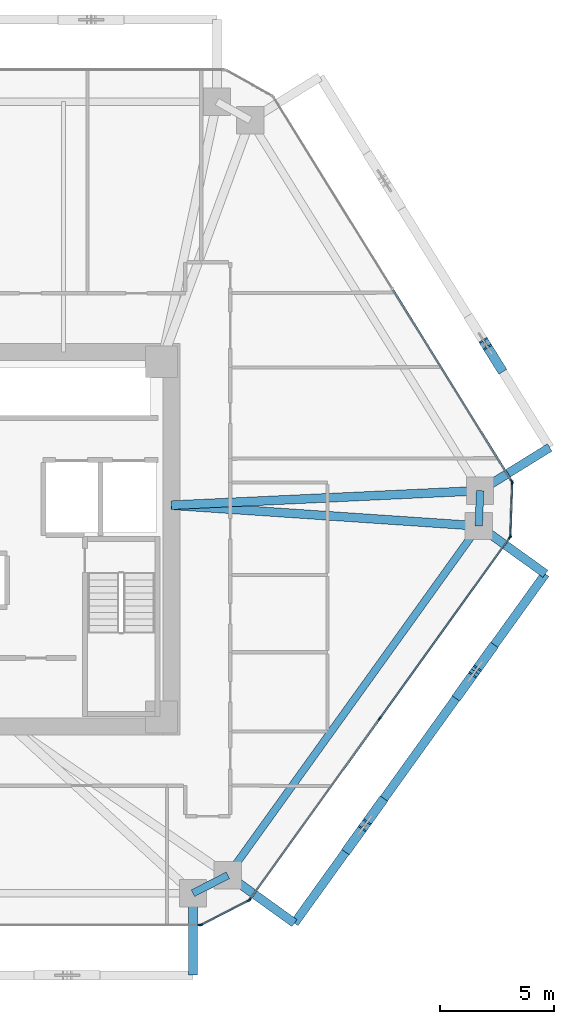
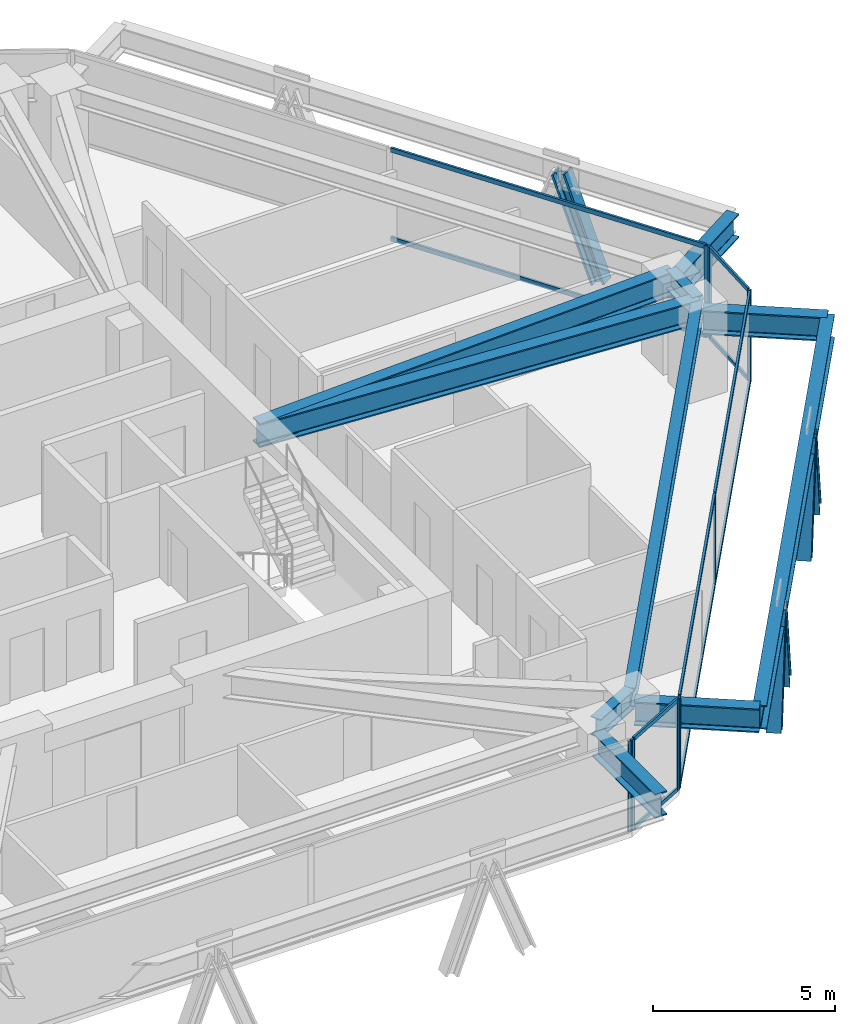
# One storey, part 5 of 16: 24 members, 10 beams, 5 elements without a shape of their own.
"""IFC4 building model written with IfcOpenShell, lengths in metres."""

from ifc_helpers import new_model, si_unit, direction, frame, origin, origin_2d, place, context, subcontext, project, spatial, rectangle, i_section, extrude, source, transform, mapped, material, layer, layer_set, material_profile, profile_set, type_object, type_shapes, element, aggregate, save


model = new_model("IFC4")

# Units and contexts
model_context = context("Model", 3, precision=1e-05, world=origin(), true_north=direction((0.0, 1.0)))
body_context = subcontext(model_context, "Body", "Model", "MODEL_VIEW")
ifc_project = project(units=[si_unit("LENGTHUNIT", "METRE"), si_unit("AREAUNIT", "SQUARE_METRE"), si_unit("VOLUMEUNIT", "CUBIC_METRE"), si_unit("PLANEANGLEUNIT", "RADIAN"), si_unit("MASSUNIT", "GRAM", prefix="KILO")], contexts=[model_context])

# Site, building, storey
site_placement = place(None, origin())
site = spatial("IfcSite", under=ifc_project, at=site_placement, CompositionType="ELEMENT")
building_placement = place(site_placement, origin())
building = spatial("IfcBuilding", under=site, at=building_placement, Name="Durnholm Broadcast Tower", CompositionType="ELEMENT")
storey_placement = place(building_placement, frame((0.0, 0.0, 123.89990234375)))
storey = spatial("IfcBuildingStorey", under=building, at=storey_placement, Name="L33", CompositionType="ELEMENT", Elevation=123.89990234375)

# Beams
ifc_material_1 = material(Name="Steel ASTM A992 Grade 50", Category="steel")
ifc_material_profile_1 = material_profile(ifc_material_1, i_section(OverallWidth=0.385009765625, OverallDepth=0.802978515625, WebThickness=0.023681640625, FlangeThickness=0.0419921875, FilletRadius=0.032958984375, at=origin_2d()), Name="W30X261")
ifc_profile_set_1 = profile_set([ifc_material_profile_1], Name="Steel ASTM A992 Grade 50")
beam_type_1 = type_object("IfcBeamType", Name="BM-EXO-TIE", PredefinedType="USERDEFINED", material=ifc_profile_set_1)
shared_shape_1 = source(origin(), body_context, "Body", "SweptSolid", [
    extrude(i_section(OverallWidth=0.385009765625, OverallDepth=0.802978515625, WebThickness=0.023681640625, FlangeThickness=0.0419921875, FilletRadius=0.032958984375, at=origin_2d()), origin(), (0.0, 0.0, 1.0), 3.4560546875),
])
for number, where, z_axis, x_axis, name in (
    (1, (11.176025390625, -15.680908203125, 2.30859375), (0.0, -1.0, 0.0), (1.0, 0.0, 0.0), "L33 exoskeleton stand-off tie bracket F1.2"),
    (2, (12.826904296875, -14.834228515625, 2.30859375), (0.812164951739, -0.583427880005, 0.0), (0.583427880005, 0.812164951739, 0.0), "L33 exoskeleton stand-off tie bracket F2.1"),
    (3, (23.844970703125, 0.5029296875, 2.30859375), (0.812164951739, -0.583427880005, 0.0), (0.583427880005, 0.812164951739, 0.0), "L33 exoskeleton stand-off tie bracket F2.2"),
    (4, (23.903076171875, 2.21240234375, 2.30859375), (0.849795112316, 0.527113144481, 0.0), (-0.527113144481, 0.849795112316, 0.0), "L33 exoskeleton stand-off tie bracket F3.1"),
):
    element("IfcBeam", number, at=place(storey_placement, frame(where, z_axis=z_axis, x_axis=x_axis)), inside=storey, type_object=beam_type_1, Name=name, ObjectType="GIRDER", PredefinedType="USERDEFINED", context=body_context, shape_type="MappedRepresentation", body=[
        mapped(shared_shape_1, transform((0.0, 0.0, 0.0), x_axis=(1.0, 0.0, 0.0), y_axis=(0.0, 1.0, 0.0), z_axis=(0.0, 0.0, 1.0), scale=1.0)),
    ])
ifc_material_profile_2 = material_profile(ifc_material_1, i_section(OverallWidth=0.3291015625, OverallDepth=0.635009765625, WebThickness=0.017822265625, FlangeThickness=0.031005859375, FilletRadius=0.02783203125, at=origin_2d()), Name="W24X162")
ifc_profile_set_2 = profile_set([ifc_material_profile_2], Name="Steel ASTM A992 Grade 50")
beam_type_2 = type_object("IfcBeamType", Name="STL-SP-W24X162", PredefinedType="SPANDREL", material=ifc_profile_set_2)
shared_shape_2 = source(origin(), body_context, "Body", "SweptSolid", [
    extrude(i_section(OverallWidth=0.3291015625, OverallDepth=0.635009765625, WebThickness=0.017822265625, FlangeThickness=0.031005859375, FilletRadius=0.02783203125, at=origin_2d()), origin(), (0.0, 0.0, 1.0), 18.884521484375),
])
beam_1_placement = place(storey_placement, frame((23.72802734375, 0.5869140625, 2.7275390625), z_axis=(-0.583443434414, -0.812153777827, 0.0), x_axis=(0.812153777827, -0.583443434414, 0.0)))
element("IfcBeam", 5, at=beam_1_placement, inside=storey, type_object=beam_type_2, Name="L33 perimeter spandrel girder 09", PredefinedType="SPANDREL", context=body_context, shape_type="MappedRepresentation", body=[
    mapped(shared_shape_2, transform((0.0, 0.0, 0.0), x_axis=(1.0, 0.0, 0.0), y_axis=(0.0, 1.0, 0.0), z_axis=(0.0, 0.0, 1.0), scale=1.0)),
])
shared_shape_3 = source(origin(), body_context, "Body", "SweptSolid", [
    extrude(i_section(OverallWidth=0.3291015625, OverallDepth=0.635009765625, WebThickness=0.017822265625, FlangeThickness=0.031005859375, FilletRadius=0.02783203125, at=origin_2d()), origin(), (0.0, 0.0, 1.0), 1.723876953125),
])
beam_2_placement = place(storey_placement, frame((12.7099609375, -14.750244140625, 2.7275390625), z_axis=(-0.889762904339, -0.456423020959, 0.0), x_axis=(0.456423020959, -0.889762904339, 0.0)))
element("IfcBeam", 6, at=beam_2_placement, inside=storey, type_object=beam_type_2, Name="L33 perimeter spandrel girder 10", PredefinedType="SPANDREL", context=body_context, shape_type="MappedRepresentation", body=[
    mapped(shared_shape_3, transform((0.0, 0.0, 0.0), x_axis=(1.0, 0.0, 0.0), y_axis=(0.0, 1.0, 0.0), z_axis=(0.0, 0.0, 1.0), scale=1.0)),
])
shared_shape_4 = source(origin(), body_context, "Body", "SweptSolid", [
    extrude(i_section(OverallWidth=0.3291015625, OverallDepth=0.635009765625, WebThickness=0.017822265625, FlangeThickness=0.031005859375, FilletRadius=0.02783203125, at=origin_2d()), origin(), (0.0, 0.0, 1.0), 1.55078125),
])
type_shapes(beam_type_2, [shared_shape_2, shared_shape_3, shared_shape_4])
beam_3_placement = place(storey_placement, frame((23.78076171875, 2.13671875, 2.7275390625), z_axis=(-0.03400678419, -0.999421602042, 0.0), x_axis=(0.999421602042, -0.03400678419, 0.0)))
element("IfcBeam", 7, at=beam_3_placement, inside=storey, type_object=beam_type_2, Name="L33 perimeter spandrel girder 08", PredefinedType="SPANDREL", context=body_context, shape_type="MappedRepresentation", body=[
    mapped(shared_shape_4, transform((0.0, 0.0, 0.0), x_axis=(1.0, 0.0, 0.0), y_axis=(0.0, 1.0, 0.0), z_axis=(0.0, 0.0, 1.0), scale=1.0)),
])
ifc_material_profile_3 = material_profile(ifc_material_1, i_section(OverallWidth=0.385009765625, OverallDepth=0.802978515625, WebThickness=0.023681640625, FlangeThickness=0.0419921875, FilletRadius=0.032958984375, at=origin_2d()), Name="W30X261")
ifc_profile_set_3 = profile_set([ifc_material_profile_3], Name="Steel ASTM A992 Grade 50")
beam_type_3 = type_object("IfcBeamType", Name="STL-GR-W30X261", PredefinedType="USERDEFINED", material=ifc_profile_set_3)
shared_shape_5 = source(origin(), body_context, "Body", "SweptSolid", [
    extrude(i_section(OverallWidth=0.385009765625, OverallDepth=0.802978515625, WebThickness=0.023681640625, FlangeThickness=0.0419921875, FilletRadius=0.032958984375, at=origin_2d()), origin(), (0.0, 0.0, 1.0), 13.570556640625),
])
beam_4_placement = place(storey_placement, frame((10.22509765625, 1.5, 2.6435546875), z_axis=(0.99889869961, 0.046918950518, 0.0), x_axis=(-0.046918950518, 0.99889869961, 0.0)))
element("IfcBeam", 8, at=beam_4_placement, inside=storey, type_object=beam_type_3, Name="L33 radial primary floor girder 08", ObjectType="GIRDER", PredefinedType="USERDEFINED", context=body_context, shape_type="MappedRepresentation", body=[
    mapped(shared_shape_5, transform((0.0, 0.0, 0.0), x_axis=(1.0, 0.0, 0.0), y_axis=(0.0, 1.0, 0.0), z_axis=(0.0, 0.0, 1.0), scale=1.0)),
])
shared_shape_6 = source(origin(), body_context, "Body", "SweptSolid", [
    extrude(i_section(OverallWidth=0.385009765625, OverallDepth=0.802978515625, WebThickness=0.023681640625, FlangeThickness=0.0419921875, FilletRadius=0.032958984375, at=origin_2d()), origin(), (0.0, 0.0, 1.0), 13.53369140625),
])
type_shapes(beam_type_3, [shared_shape_5, shared_shape_6])
beam_5_placement = place(storey_placement, frame((10.22509765625, 1.5, 2.6435546875), z_axis=(0.99772148964, -0.067467244725, 0.0), x_axis=(0.067467244725, 0.99772148964, 0.0)))
element("IfcBeam", 9, at=beam_5_placement, inside=storey, type_object=beam_type_3, Name="L33 radial primary floor girder 09", ObjectType="GIRDER", PredefinedType="USERDEFINED", context=body_context, shape_type="MappedRepresentation", body=[
    mapped(shared_shape_6, transform((0.0, 0.0, 0.0), x_axis=(1.0, 0.0, 0.0), y_axis=(0.0, 1.0, 0.0), z_axis=(0.0, 0.0, 1.0), scale=1.0)),
])
shared_shape_7 = source(origin(), body_context, "Body", "SweptSolid", [
    extrude(i_section(OverallWidth=0.385009765625, OverallDepth=0.802978515625, WebThickness=0.023681640625, FlangeThickness=0.0419921875, FilletRadius=0.032958984375, at=origin_2d()), origin(), (0.0, 0.0, 1.0), 18.884521484375),
])
type_shapes(beam_type_1, [shared_shape_1, shared_shape_7])
beam_6_placement = place(storey_placement, frame((15.6337890625, -16.8505859375, 2.30859375), z_axis=(0.583443434414, 0.812153777827, 0.0), x_axis=(-0.812153777827, 0.583443434414, 0.0)))
element("IfcBeam", 10, at=beam_6_placement, inside=storey, type_object=beam_type_1, Name="L33 exoskeleton collector spandrel F2", PredefinedType="SPANDREL", context=body_context, shape_type="MappedRepresentation", body=[
    mapped(shared_shape_7, transform((0.0, 0.0, 0.0), x_axis=(1.0, 0.0, 0.0), y_axis=(0.0, 1.0, 0.0), z_axis=(0.0, 0.0, 1.0), scale=1.0)),
])

# Members
ifc_material_2 = material(Name="Steel ASTM A913 Grade 65", Category="steel")
ifc_material_profile_4 = material_profile(ifc_material_2, i_section(OverallWidth=0.41845703125, OverallDepth=0.455078125, WebThickness=0.0419921875, FlangeThickness=0.067626953125, FilletRadius=0.030517578125, at=origin_2d()), Name="W14X370")
ifc_profile_set_4 = profile_set([ifc_material_profile_4], Name="Steel ASTM A913 Grade 65")
member_type_1 = type_object("IfcMemberType", Name="STL-DG-W14X370", PredefinedType="BRACE", material=ifc_profile_set_4)
shared_shape_8 = source(origin(), body_context, "Body", "SweptSolid", [
    extrude(i_section(OverallWidth=0.41845703125, OverallDepth=0.455078125, WebThickness=0.0419921875, FlangeThickness=0.067626953125, FilletRadius=0.030517578125, at=origin_2d()), origin(), (0.0, 0.0, 1.0), 3.52294921875),
])
type_shapes(member_type_1, [shared_shape_8])
for number, where, z_axis, x_axis, name in (
    (11, (17.9990234375, -13.558349609375, -0.9912109375), (0.204301080379, 0.284413715697, 0.936680258615), (-0.812179469647, 0.583407669717, 0.0), "L33 stand-off diagrid brace F2.D1.1"),
    (12, (19.438720703125, -11.55419921875, -0.9912109375), (-0.204363459575, -0.284473381335, 0.936648531576), (0.812153063014, -0.583444429434, 0.0), "L33 stand-off diagrid brace F2.D1.2"),
    (13, (22.846923828125, -6.81005859375, -0.9912109375), (0.204363459575, 0.284473381335, 0.936648531576), (-0.812153063014, 0.583444429434, 0.0), "L33 stand-off diagrid brace F2.D2.1"),
    (14, (24.28662109375, -4.805908203125, -0.9912109375), (-0.204301080379, -0.284413715697, 0.936680258615), (0.812179469647, -0.583407669717, 0.0), "L33 stand-off diagrid brace F2.D2.2"),
    (15, (24.66552734375, 7.539794921875, -0.9912109375), (-0.184614818514, 0.297642884954, 0.936656864503), (-0.849805205368, -0.527096872433, 0.0), "L33 stand-off diagrid brace F3.D1.1"),
):
    element("IfcMember", number, at=place(storey_placement, frame(where, z_axis=z_axis, x_axis=x_axis)), inside=storey, type_object=member_type_1, Name=name, PredefinedType="BRACE", context=body_context, shape_type="MappedRepresentation", body=[
        mapped(shared_shape_8, transform((0.0, 0.0, 0.0), x_axis=(1.0, 0.0, 0.0), y_axis=(0.0, 1.0, 0.0), z_axis=(0.0, 0.0, 1.0), scale=1.0)),
    ])

# Curtain wall, members
ifc_material_3 = material(Name="Aluminium and Solar Control IGU", Category="aluminium")
ifc_layer_1 = layer(ifc_material_3, 0.1650390625)
ifc_layer_set_1 = layer_set([ifc_layer_1], Name="Aluminium and Solar Control IGU")
curtain_wall_type_1 = type_object("IfcCurtainWallType", Name="CW-SYS-5", PredefinedType="NOTDEFINED", material=ifc_layer_set_1)
curtain_wall_1_placement = place(storey_placement, origin())
curtain_wall_1 = element("IfcCurtainWall", 16, at=curtain_wall_1_placement, inside=storey, type_object=curtain_wall_type_1, Name="L33 curtain wall CW-CORNER CW-L33-CRN-07", PredefinedType="NOTDEFINED")
ifc_material_4 = material(Name="Aluminium 6063-T6", Category="aluminium")
ifc_material_profile_5 = material_profile(ifc_material_4, rectangle(XDim=0.06494140625, YDim=0.1650390625, at=origin_2d()), Name="CWM65X165")
ifc_profile_set_5 = profile_set([ifc_material_profile_5], Name="Aluminium 6063-T6")
member_type_2 = type_object("IfcMemberType", Name="CW-SYS-5-MUL", PredefinedType="MULLION", material=ifc_profile_set_5)
shared_shape_9 = source(origin(), body_context, "Body", "SweptSolid", [
    extrude(rectangle(XDim=0.06494140625, YDim=0.1650390625, at=origin_2d()), origin(), (0.0, 0.0, 1.0), 3.06005859375),
])
type_shapes(member_type_2, [shared_shape_9])
member_1_placement = place(storey_placement, frame((25.193115234375, 2.481201171875, 0.0), z_axis=(0.0, 0.0, 1.0), x_axis=(0.999424655155, -0.033916937775, 0.0)))
member_1 = element("IfcMember", 17, at=member_1_placement, type_object=member_type_2, Name="CW-CORNER mullion 1", PredefinedType="MULLION", context=body_context, shape_type="MappedRepresentation", body=[
    mapped(shared_shape_9, transform((0.0, 0.0, 0.0), x_axis=(1.0, 0.0, 0.0), y_axis=(0.0, 1.0, 0.0), z_axis=(0.0, 0.0, 1.0), scale=1.0)),
])
member_2_placement = place(storey_placement, frame((25.114013671875, 0.1474609375, 0.0), z_axis=(0.0, 0.0, 1.0), x_axis=(0.999424655155, -0.033916937775, 0.0)))
member_2 = element("IfcMember", 18, at=member_2_placement, type_object=member_type_2, Name="CW-CORNER mullion 2", PredefinedType="MULLION", context=body_context, shape_type="MappedRepresentation", body=[
    mapped(shared_shape_9, transform((0.0, 0.0, 0.0), x_axis=(1.0, 0.0, 0.0), y_axis=(0.0, 1.0, 0.0), z_axis=(0.0, 0.0, 1.0), scale=1.0)),
])

curtain_wall_2_placement = place(storey_placement, origin())
curtain_wall_2 = element("IfcCurtainWall", 19, at=curtain_wall_2_placement, inside=storey, type_object=curtain_wall_type_1, Name="L33 curtain wall CW-CORNER CW-L33-CRN-09", PredefinedType="NOTDEFINED")
member_3_placement = place(storey_placement, frame((13.620849609375, -15.8564453125, 0.0), z_axis=(0.0, 0.0, 1.0), x_axis=(0.45637332267, -0.889788396392, 0.0)))
member_3 = element("IfcMember", 20, at=member_3_placement, type_object=member_type_2, Name="CW-CORNER mullion 1", PredefinedType="MULLION", context=body_context, shape_type="MappedRepresentation", body=[
    mapped(shared_shape_9, transform((0.0, 0.0, 0.0), x_axis=(1.0, 0.0, 0.0), y_axis=(0.0, 1.0, 0.0), z_axis=(0.0, 0.0, 1.0), scale=1.0)),
])
member_4_placement = place(storey_placement, frame((11.543212890625, -16.922119140625, 0.0), z_axis=(0.0, 0.0, 1.0), x_axis=(0.45637332267, -0.889788396392, 0.0)))
member_4 = element("IfcMember", 21, at=member_4_placement, type_object=member_type_2, Name="CW-CORNER mullion 2", PredefinedType="MULLION", context=body_context, shape_type="MappedRepresentation", body=[
    mapped(shared_shape_9, transform((0.0, 0.0, 0.0), x_axis=(1.0, 0.0, 0.0), y_axis=(0.0, 1.0, 0.0), z_axis=(0.0, 0.0, 1.0), scale=1.0)),
])

# Curtain wall, member
ifc_layer_2 = layer(ifc_material_3, 0.18994140625)
ifc_layer_set_2 = layer_set([ifc_layer_2], Name="Aluminium and Solar Control IGU")
curtain_wall_type_2 = type_object("IfcCurtainWallType", Name="CW-SYS-3", PredefinedType="NOTDEFINED", material=ifc_layer_set_2)
curtain_wall_3_placement = place(storey_placement, origin())
curtain_wall_3 = element("IfcCurtainWall", 22, at=curtain_wall_3_placement, inside=storey, type_object=curtain_wall_type_2, Name="L33 curtain wall CW-Z12-VIS CW-L33-F06", PredefinedType="NOTDEFINED")
ifc_material_profile_6 = material_profile(ifc_material_4, rectangle(XDim=0.070068359375, YDim=0.18994140625, at=origin_2d()), Name="CWM70X190")
ifc_profile_set_6 = profile_set([ifc_material_profile_6], Name="Aluminium 6063-T6")
member_type_3 = type_object("IfcMemberType", Name="CW-SYS-3-MUL", PredefinedType="MULLION", material=ifc_profile_set_6)
shared_shape_10 = source(origin(), body_context, "Body", "SweptSolid", [
    extrude(rectangle(XDim=0.070068359375, YDim=0.18994140625, at=origin_2d()), origin(), (0.0, 0.0, 1.0), 3.06005859375),
])
type_shapes(member_type_3, [shared_shape_10])
member_5_placement = place(storey_placement, frame((25.17578125, 2.54345703125, 0.0), z_axis=(0.0, 0.0, 1.0), x_axis=(0.849799925229, 0.527105385176, 0.0)))
member_5 = element("IfcMember", 23, at=member_5_placement, type_object=member_type_3, Name="CW-Z12-VIS mullion 3", PredefinedType="MULLION", context=body_context, shape_type="MappedRepresentation", body=[
    mapped(shared_shape_10, transform((0.0, 0.0, 0.0), x_axis=(1.0, 0.0, 0.0), y_axis=(0.0, 1.0, 0.0), z_axis=(0.0, 0.0, 1.0), scale=1.0)),
])

# Curtain wall, members
curtain_wall_4_placement = place(storey_placement, origin())
curtain_wall_4 = element("IfcCurtainWall", 24, at=curtain_wall_4_placement, inside=storey, type_object=curtain_wall_type_2, Name="L33 curtain wall CW-Z12-VIS CW-L33-F08", PredefinedType="NOTDEFINED")
member_6_placement = place(storey_placement, frame((25.092529296875, 0.086669921875, 0.0), z_axis=(0.0, 0.0, 1.0), x_axis=(0.812152312759, -0.583445473786, 0.0)))
member_6 = element("IfcMember", 25, at=member_6_placement, type_object=member_type_3, Name="CW-Z12-VIS mullion 1", PredefinedType="MULLION", context=body_context, shape_type="MappedRepresentation", body=[
    mapped(shared_shape_10, transform((0.0, 0.0, 0.0), x_axis=(1.0, 0.0, 0.0), y_axis=(0.0, 1.0, 0.0), z_axis=(0.0, 0.0, 1.0), scale=1.0)),
])
member_7_placement = place(storey_placement, frame((19.38134765625, -7.86328125, 0.0), z_axis=(0.0, 0.0, 1.0), x_axis=(0.812152312759, -0.583445473786, 0.0)))
member_7 = element("IfcMember", 26, at=member_7_placement, type_object=member_type_3, Name="CW-Z12-VIS mullion 2", PredefinedType="MULLION", context=body_context, shape_type="MappedRepresentation", body=[
    mapped(shared_shape_10, transform((0.0, 0.0, 0.0), x_axis=(1.0, 0.0, 0.0), y_axis=(0.0, 1.0, 0.0), z_axis=(0.0, 0.0, 1.0), scale=1.0)),
])
member_8_placement = place(storey_placement, frame((13.670166015625, -15.813232421875, 0.0), z_axis=(0.0, 0.0, 1.0), x_axis=(0.812152312759, -0.583445473786, 0.0)))
member_8 = element("IfcMember", 27, at=member_8_placement, type_object=member_type_3, Name="CW-Z12-VIS mullion 3", PredefinedType="MULLION", context=body_context, shape_type="MappedRepresentation", body=[
    mapped(shared_shape_10, transform((0.0, 0.0, 0.0), x_axis=(1.0, 0.0, 0.0), y_axis=(0.0, 1.0, 0.0), z_axis=(0.0, 0.0, 1.0), scale=1.0)),
])

# Curtain wall, member
curtain_wall_5_placement = place(storey_placement, origin())
curtain_wall_5 = element("IfcCurtainWall", 28, at=curtain_wall_5_placement, inside=storey, type_object=curtain_wall_type_2, Name="L33 curtain wall CW-Z12-VIS CW-L33-F10", PredefinedType="NOTDEFINED")
member_9_placement = place(storey_placement, frame((11.479248046875, -16.93701171875, 0.0), z_axis=(0.0, 0.0, 1.0), x_axis=(0.0, -1.0, 0.0)))
member_9 = element("IfcMember", 29, at=member_9_placement, type_object=member_type_3, Name="CW-Z12-VIS mullion 1", PredefinedType="MULLION", context=body_context, shape_type="MappedRepresentation", body=[
    mapped(shared_shape_10, transform((0.0, 0.0, 0.0), x_axis=(1.0, 0.0, 0.0), y_axis=(0.0, 1.0, 0.0), z_axis=(0.0, 0.0, 1.0), scale=1.0)),
])
aggregate(curtain_wall_5, [member_9])

# Member
ifc_material_profile_7 = material_profile(ifc_material_4, rectangle(XDim=0.06494140625, YDim=0.1298828125, at=origin_2d()), Name="CWT65X130")
ifc_profile_set_7 = profile_set([ifc_material_profile_7], Name="Aluminium 6063-T6")
member_type_4 = type_object("IfcMemberType", Name="CW-SYS-5-TRN", PredefinedType="USERDEFINED", material=ifc_profile_set_7)
shared_shape_11 = source(origin(), body_context, "Body", "SweptSolid", [
    extrude(rectangle(XDim=0.06494140625, YDim=0.1298828125, at=origin_2d()), origin(), (0.0, 0.0, 1.0), 2.27001953125),
])
type_shapes(member_type_4, [shared_shape_11])
member_10_placement = place(storey_placement, frame((25.192138671875, 2.44873046875, 0.03271484375), z_axis=(-0.03398444704, -0.999422361847, 0.0), x_axis=(0.999422361847, -0.03398444704, 0.0)))
member_10 = element("IfcMember", 30, at=member_10_placement, type_object=member_type_4, Name="CW-CORNER transom 1.1", ObjectType="TRANSOM", PredefinedType="USERDEFINED", context=body_context, shape_type="MappedRepresentation", body=[
    mapped(shared_shape_11, transform((0.0, 0.0, 0.0), x_axis=(1.0, 0.0, 0.0), y_axis=(0.0, 1.0, 0.0), z_axis=(0.0, 0.0, 1.0), scale=1.0)),
])

member_11_placement = place(storey_placement, frame((25.192138671875, 2.44873046875, 3.027587890625), z_axis=(-0.03398444704, -0.999422361847, 0.0), x_axis=(0.999422361847, -0.03398444704, 0.0)))
member_11 = element("IfcMember", 31, at=member_11_placement, type_object=member_type_4, Name="CW-CORNER transom 1.2", ObjectType="TRANSOM", PredefinedType="USERDEFINED", context=body_context, shape_type="MappedRepresentation", body=[
    mapped(shared_shape_11, transform((0.0, 0.0, 0.0), x_axis=(1.0, 0.0, 0.0), y_axis=(0.0, 1.0, 0.0), z_axis=(0.0, 0.0, 1.0), scale=1.0)),
])

aggregate(curtain_wall_1, [member_1, member_2, member_10, member_11])

member_12_placement = place(storey_placement, frame((13.591796875, -15.871337890625, 0.03271484375), z_axis=(-0.889798425843, -0.456353767781, 0.0), x_axis=(0.456353767781, -0.889798425843, 0.0)))
member_12 = element("IfcMember", 32, at=member_12_placement, type_object=member_type_4, Name="CW-CORNER transom 1.1", ObjectType="TRANSOM", PredefinedType="USERDEFINED", context=body_context, shape_type="MappedRepresentation", body=[
    mapped(shared_shape_11, transform((0.0, 0.0, 0.0), x_axis=(1.0, 0.0, 0.0), y_axis=(0.0, 1.0, 0.0), z_axis=(0.0, 0.0, 1.0), scale=1.0)),
])

member_13_placement = place(storey_placement, frame((13.591796875, -15.871337890625, 3.027587890625), z_axis=(-0.889798425843, -0.456353767781, 0.0), x_axis=(0.456353767781, -0.889798425843, 0.0)))
member_13 = element("IfcMember", 33, at=member_13_placement, type_object=member_type_4, Name="CW-CORNER transom 1.2", ObjectType="TRANSOM", PredefinedType="USERDEFINED", context=body_context, shape_type="MappedRepresentation", body=[
    mapped(shared_shape_11, transform((0.0, 0.0, 0.0), x_axis=(1.0, 0.0, 0.0), y_axis=(0.0, 1.0, 0.0), z_axis=(0.0, 0.0, 1.0), scale=1.0)),
])

aggregate(curtain_wall_2, [member_3, member_4, member_12, member_13])

ifc_material_profile_8 = material_profile(ifc_material_4, rectangle(XDim=0.070068359375, YDim=0.14990234375, at=origin_2d()), Name="CWT70X150")
ifc_profile_set_8 = profile_set([ifc_material_profile_8], Name="Aluminium 6063-T6")
member_type_5 = type_object("IfcMemberType", Name="CW-SYS-3-TRN", PredefinedType="USERDEFINED", material=ifc_profile_set_8)
shared_shape_12 = source(origin(), body_context, "Body", "SweptSolid", [
    extrude(rectangle(XDim=0.070068359375, YDim=0.14990234375, at=origin_2d()), origin(), (0.0, 0.0, 1.0), 9.71875),
])
member_14_placement = place(storey_placement, frame((25.072021484375, 0.05810546875, 0.03515625), z_axis=(-0.583450726174, -0.812148539448, 0.0), x_axis=(0.812148539448, -0.583450726174, 0.0)))
member_14 = element("IfcMember", 34, at=member_14_placement, type_object=member_type_5, Name="CW-Z12-VIS transom 1.1", ObjectType="TRANSOM", PredefinedType="USERDEFINED", context=body_context, shape_type="MappedRepresentation", body=[
    mapped(shared_shape_12, transform((0.0, 0.0, 0.0), x_axis=(1.0, 0.0, 0.0), y_axis=(0.0, 1.0, 0.0), z_axis=(0.0, 0.0, 1.0), scale=1.0)),
])

member_15_placement = place(storey_placement, frame((25.072021484375, 0.05810546875, 3.025146484375), z_axis=(-0.583450726174, -0.812148539448, 0.0), x_axis=(0.812148539448, -0.583450726174, 0.0)))
member_15 = element("IfcMember", 35, at=member_15_placement, type_object=member_type_5, Name="CW-Z12-VIS transom 1.2", ObjectType="TRANSOM", PredefinedType="USERDEFINED", context=body_context, shape_type="MappedRepresentation", body=[
    mapped(shared_shape_12, transform((0.0, 0.0, 0.0), x_axis=(1.0, 0.0, 0.0), y_axis=(0.0, 1.0, 0.0), z_axis=(0.0, 0.0, 1.0), scale=1.0)),
])

member_16_placement = place(storey_placement, frame((19.36083984375, -7.891845703125, 0.03515625), z_axis=(-0.583450726174, -0.812148539448, 0.0), x_axis=(0.812148539448, -0.583450726174, 0.0)))
member_16 = element("IfcMember", 36, at=member_16_placement, type_object=member_type_5, Name="CW-Z12-VIS transom 2.1", ObjectType="TRANSOM", PredefinedType="USERDEFINED", context=body_context, shape_type="MappedRepresentation", body=[
    mapped(shared_shape_12, transform((0.0, 0.0, 0.0), x_axis=(1.0, 0.0, 0.0), y_axis=(0.0, 1.0, 0.0), z_axis=(0.0, 0.0, 1.0), scale=1.0)),
])

member_17_placement = place(storey_placement, frame((19.36083984375, -7.891845703125, 3.025146484375), z_axis=(-0.583450726174, -0.812148539448, 0.0), x_axis=(0.812148539448, -0.583450726174, 0.0)))
member_17 = element("IfcMember", 37, at=member_17_placement, type_object=member_type_5, Name="CW-Z12-VIS transom 2.2", ObjectType="TRANSOM", PredefinedType="USERDEFINED", context=body_context, shape_type="MappedRepresentation", body=[
    mapped(shared_shape_12, transform((0.0, 0.0, 0.0), x_axis=(1.0, 0.0, 0.0), y_axis=(0.0, 1.0, 0.0), z_axis=(0.0, 0.0, 1.0), scale=1.0)),
])

aggregate(curtain_wall_4, [member_6, member_7, member_8, member_14, member_15, member_16, member_17])

shared_shape_13 = source(origin(), body_context, "Body", "SweptSolid", [
    extrude(rectangle(XDim=0.070068359375, YDim=0.14990234375, at=origin_2d()), origin(), (0.0, 0.0, 1.0), 9.859130859375),
])
type_shapes(member_type_5, [shared_shape_12, shared_shape_13])
member_18_placement = place(storey_placement, frame((19.960693359375, 10.951171875, 0.03515625), z_axis=(0.527108872232, -0.849797762303, 0.0), x_axis=(0.849797762303, 0.527108872232, 0.0)))
member_18 = element("IfcMember", 38, at=member_18_placement, type_object=member_type_5, Name="CW-Z12-VIS transom 2.1", ObjectType="TRANSOM", PredefinedType="USERDEFINED", context=body_context, shape_type="MappedRepresentation", body=[
    mapped(shared_shape_13, transform((0.0, 0.0, 0.0), x_axis=(1.0, 0.0, 0.0), y_axis=(0.0, 1.0, 0.0), z_axis=(0.0, 0.0, 1.0), scale=1.0)),
])

member_19_placement = place(storey_placement, frame((19.960693359375, 10.951171875, 3.025146484375), z_axis=(0.527108872232, -0.849797762303, 0.0), x_axis=(0.849797762303, 0.527108872232, 0.0)))
member_19 = element("IfcMember", 39, at=member_19_placement, type_object=member_type_5, Name="CW-Z12-VIS transom 2.2", ObjectType="TRANSOM", PredefinedType="USERDEFINED", context=body_context, shape_type="MappedRepresentation", body=[
    mapped(shared_shape_13, transform((0.0, 0.0, 0.0), x_axis=(1.0, 0.0, 0.0), y_axis=(0.0, 1.0, 0.0), z_axis=(0.0, 0.0, 1.0), scale=1.0)),
])

aggregate(curtain_wall_3, [member_5, member_18, member_19])

save(model, "model.ifc")
